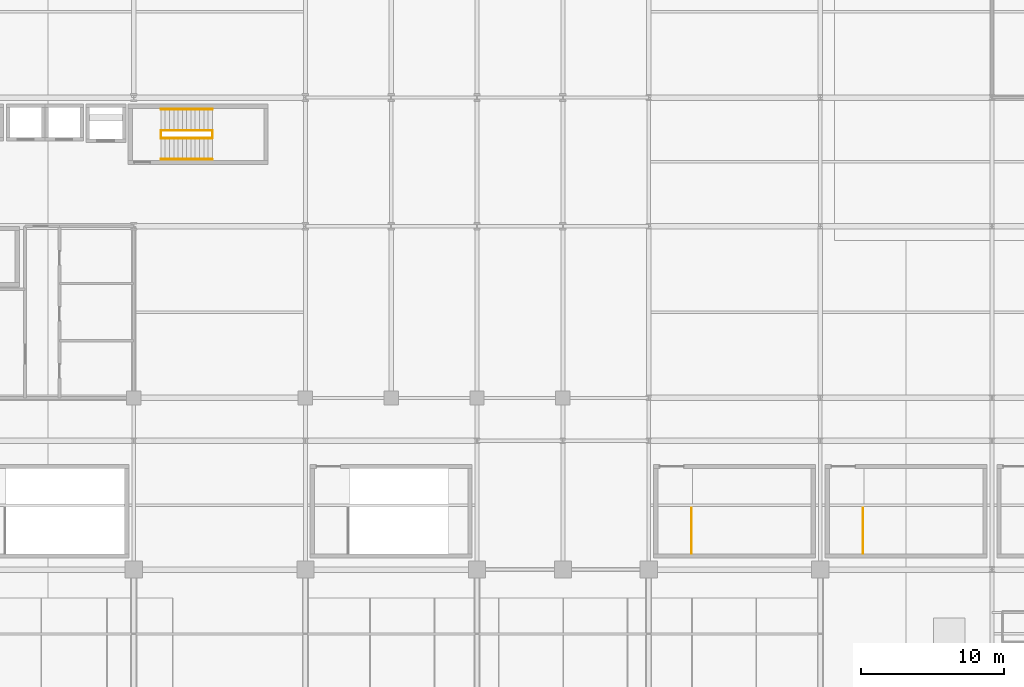
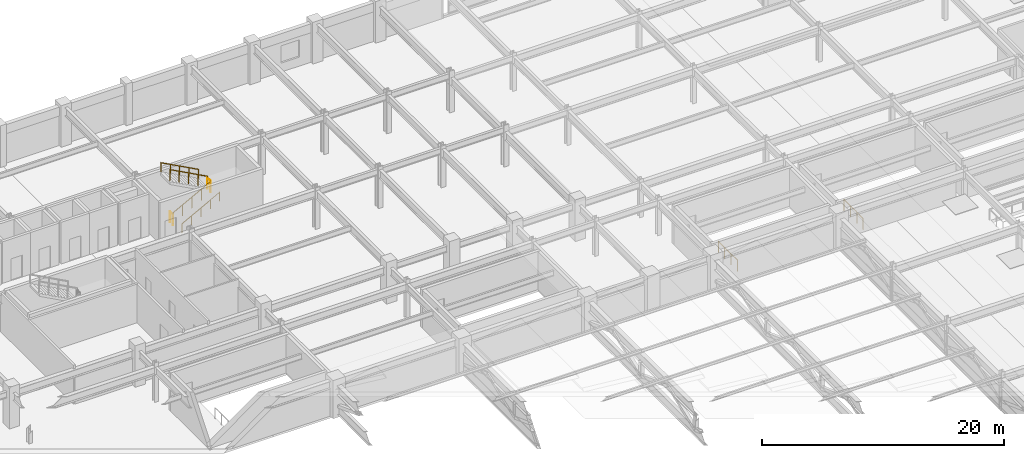
# One storey, part 107 of 108: 8 railings.
"""IFC4 building model written with IfcOpenShell, lengths in metres."""

import ifcopenshell
import ifcopenshell.guid

model = None  # the IFC model being written
_history = None  # IfcOwnerHistory: only IFC2X3 demands one
_inside = {}  # id of a spatial element -> (the spatial element, [elements in it])
_under = {}  # id of a project, library or spatial element -> (it, [spatial elements below it])
_declared = {}  # id of a project -> (the project, [libraries it declares])
_typed = {}  # id of a type object -> (the type object, [elements of that type])
_made_of = {}  # id of a material, layer set ... -> (it, [elements and type objects made of it])


def new_model(schema):
    """Start an empty IFC model of exactly this schema.

    Asked for "IFC4X3", IfcOpenShell would pick the latest addendum, in which some entities
    have other attributes; the version numbers below select the first issue.
    IFC2X3 requires an IfcOwnerHistory on every rooted entity: one is made here for all.
    """
    global model, _history
    if schema == "IFC4X3":
        model = ifcopenshell.file(schema_version=(4, 3, 0, 0))
    else:
        model = ifcopenshell.file(schema=schema)
    _inside.clear()
    _under.clear()
    _declared.clear()
    _typed.clear()
    _made_of.clear()
    _history = None
    if model.schema == "IFC2X3":
        org = make("IfcOrganization", Name="unknown")
        user = make(
            "IfcPersonAndOrganization",
            ThePerson=make("IfcPerson", FamilyName="unknown"),
            TheOrganization=org,
        )
        app = make(
            "IfcApplication",
            ApplicationDeveloper=org,
            Version="unknown",
            ApplicationFullName="unknown",
            ApplicationIdentifier="unknown",
        )
        _history = make(
            "IfcOwnerHistory",
            OwningUser=user,
            OwningApplication=app,
            ChangeAction="ADDED",
            CreationDate=0,
        )
    return model


def make(cls, **values):
    """One entity of the class cls with the attributes given. An attribute that is None is left unset."""
    return model.create_entity(
        cls, **{name: value for name, value in values.items() if value is not None}
    )


def rooted(cls, **values):
    """An entity with a GlobalId (a new one), such as an element, a storey or a relation."""
    return make(cls, GlobalId=ifcopenshell.guid.new(), OwnerHistory=_history, **values)


def si_unit(unit_type, name, prefix=None):
    """IfcSIUnit, for example si_unit("LENGTHUNIT", "METRE", prefix="MILLI")."""
    return make("IfcSIUnit", UnitType=unit_type, Prefix=prefix, Name=name)


def assignment(units):
    """IfcUnitAssignment: the units of a project."""
    return None if units is None else make("IfcUnitAssignment", Units=units)


def point(xyz):
    """IfcCartesianPoint."""
    return None if xyz is None else make("IfcCartesianPoint", Coordinates=xyz)


def direction(xyz):
    """IfcDirection."""
    return None if xyz is None else make("IfcDirection", DirectionRatios=xyz)


def frame(location, z_axis=None, x_axis=None):
    """IfcAxis2Placement3D, a coordinate frame: its origin and axes. An axis left out is left unset."""
    return make(
        "IfcAxis2Placement3D",
        Location=point(location),
        Axis=direction(z_axis),
        RefDirection=direction(x_axis),
    )


def frame_2d(location, x_axis=None):
    """IfcAxis2Placement2D, a coordinate frame in the plane: its origin and x axis."""
    return make(
        "IfcAxis2Placement2D", Location=point(location), RefDirection=direction(x_axis)
    )


def origin():
    """The frame at (0, 0, 0) with its axes left unset."""
    return frame((0.0, 0.0, 0.0))


def origin_2d():
    """The frame at (0, 0) in the plane with its x axis left unset."""
    return frame_2d((0.0, 0.0))


def place(relative_to, where):
    """IfcLocalPlacement: puts the frame where relative to a parent placement (None: the world)."""
    return make(
        "IfcLocalPlacement", PlacementRelTo=relative_to, RelativePlacement=where
    )


def context(
    kind, dimensions, precision=None, world=None, true_north=None, identifier=None
):
    """IfcGeometricRepresentationContext, for example the 3D "Model" context."""
    return make(
        "IfcGeometricRepresentationContext",
        ContextIdentifier=identifier,
        ContextType=kind,
        CoordinateSpaceDimension=dimensions,
        Precision=precision,
        WorldCoordinateSystem=world,
        TrueNorth=true_north,
    )


def subcontext(parent, identifier, kind, view, scale=None):
    """IfcGeometricRepresentationSubContext, for example "Body" below "Model"."""
    return make(
        "IfcGeometricRepresentationSubContext",
        ContextIdentifier=identifier,
        ContextType=kind,
        ParentContext=parent,
        TargetScale=scale,
        TargetView=view,
    )


def project(units=None, contexts=None):
    """IfcProject with its units and contexts."""
    return rooted(
        "IfcProject",
        Name="project",
        RepresentationContexts=contexts,
        UnitsInContext=assignment(units),
    )


def spatial(cls, under=None, at=None, **own):
    """A site, building, storey or space (cls), placed at a placement, below another one or the project."""
    s = rooted(cls, ObjectPlacement=at, **own)
    if under is not None:
        _under.setdefault(under.id(), (under, []))[1].append(s)
    return s


def profile(cls, at=None, kind="AREA", **sizes):
    """A parametric profile (cls). Its sizes go by their IFC names, for example OverallWidth=200.0."""
    return make(cls, ProfileType=kind, Position=at, **sizes)


def circle(**sizes):
    """IfcCircleProfileDef."""
    return profile("IfcCircleProfileDef", **sizes)


def extrude(swept, where, along, depth):
    """IfcExtrudedAreaSolid: the profile swept, set in the frame where, extruded along a direction by depth."""
    return make(
        "IfcExtrudedAreaSolid",
        SweptArea=swept,
        Position=where,
        ExtrudedDirection=direction(along),
        Depth=depth,
    )


def shape(context_of_items, identifier, shape_type, items):
    """IfcShapeRepresentation: the items that make up one representation, for example the "Body"."""
    return make(
        "IfcShapeRepresentation",
        ContextOfItems=context_of_items,
        RepresentationIdentifier=identifier,
        RepresentationType=shape_type,
        Items=items,
    )


def material(Name=None, Category=None):
    """IfcMaterial."""
    return make("IfcMaterial", Name=Name, Category=Category)


def made_of(thing, what):
    """Note that an element or type object is made of a material, layer set ...; save() writes the relation."""
    if what is not None:
        _made_of.setdefault(what.id(), (what, []))[1].append(thing)
    return thing


def type_object(cls, material=None, **own):
    """A type object (cls), such as IfcWallType, which elements share."""
    return made_of(rooted(cls, **own), material)


def element(
    cls,
    number,
    at=None,
    inside=None,
    cuts=None,
    type_object=None,
    material=None,
    context=None,
    identifier="Body",
    shape_type=None,
    held_by="IfcProductDefinitionShape",
    body=None,
    shapes=None,
    **own,
):
    """One element of the class cls, such as IfcWall. Its Tag is "e" and its number.

    at: its placement. inside: the storey or other place that contains it. cuts: it is an
    opening in that element (IfcRelVoidsElement). A single representation is given by context,
    identifier, shape_type and body (its items); several are given by shapes. held_by: the class
    of the entity that holds the representations. save() writes the other relations.
    """
    e = rooted(cls, Tag="e%d" % number, ObjectPlacement=at, **own)
    if body is not None:
        shapes = [shape(context, identifier, shape_type, body)]
    if shapes is not None:
        e.Representation = make(held_by, Representations=shapes)
    if inside is not None:
        _inside.setdefault(inside.id(), (inside, []))[1].append(e)
    if cuts is not None:
        rooted(
            "IfcRelVoidsElement", RelatingBuildingElement=cuts, RelatedOpeningElement=e
        )
    if type_object is not None:
        _typed.setdefault(type_object.id(), (type_object, []))[1].append(e)
    return made_of(e, material)


def aggregate(whole, parts):
    """IfcRelAggregates: a whole, such as a stair, and the parts it consists of."""
    return rooted("IfcRelAggregates", RelatingObject=whole, RelatedObjects=parts)


def save(model, path):
    """Write the relations noted so far, then the file.

    IfcRelAggregates (storeys below a building ...), IfcRelContainedInSpatialStructure (elements
    in a storey), IfcRelDefinesByType, IfcRelAssociatesMaterial and IfcRelDeclares: one each for
    every whole, place, type object, material and project.
    """
    for whole, parts in _under.values():
        aggregate(whole, parts)
    for where, things in _inside.values():
        rooted(
            "IfcRelContainedInSpatialStructure",
            RelatedElements=things,
            RelatingStructure=where,
        )
    for kind, things in _typed.values():
        rooted("IfcRelDefinesByType", RelatedObjects=things, RelatingType=kind)
    for what, things in _made_of.values():
        rooted("IfcRelAssociatesMaterial", RelatedObjects=things, RelatingMaterial=what)
    for by, libraries in _declared.values():
        rooted("IfcRelDeclares", RelatingContext=by, RelatedDefinitions=libraries)
    model.write(path)


model = new_model("IFC4")

# Units and contexts
model_context = context("Model", 3, precision=1e-05, world=origin(), true_north=direction((0.0, 1.0)))
body_context = subcontext(model_context, "Body", "Model", "MODEL_VIEW")
ifc_project = project(units=[si_unit("LENGTHUNIT", "METRE"), si_unit("AREAUNIT", "SQUARE_METRE"), si_unit("VOLUMEUNIT", "CUBIC_METRE"), si_unit("PLANEANGLEUNIT", "RADIAN"), si_unit("MASSUNIT", "GRAM", prefix="KILO")], contexts=[model_context])

# Site, building, storey
site_placement = place(None, origin())
site = spatial("IfcSite", under=ifc_project, at=site_placement, CompositionType="ELEMENT")
building_placement = place(site_placement, origin())
building = spatial("IfcBuilding", under=site, at=building_placement, Name="Kaldorvane Square Convention Centre", CompositionType="ELEMENT")
storey_placement = place(building_placement, frame((0.0, 0.0, 23.399993896484375)))
storey = spatial("IfcBuildingStorey", under=building, at=storey_placement, Name="L04", CompositionType="ELEMENT", Elevation=23.399993896484375)

# Railings
ifc_material = material(Name="Architectural Painted Steel", Category="steel")
railing_type_1 = type_object("IfcRailingType", Name="RL-GUARD-1120", PredefinedType="BALUSTRADE", material=ifc_material)
for number, where, name in (
    (1, (67.89999389648438, 102.16999816894531, 0.0), "Tower Exit Stair T2 Floor Well Guard (L04)"),
    (2, (71.5, 102.16999816894531, 2.100006103515625), "Tower Exit Stair T2 Half-Landing Guard (L04)"),
):
    element("IfcRailing", number, at=place(storey_placement, frame(where)), inside=storey, type_object=railing_type_1, Name=name, PredefinedType="BALUSTRADE", context=body_context, shape_type="SweptSolid", body=[
        extrude(circle(Radius=0.0240020751953125, at=origin_2d()), frame((0.0, 0.0, 1.0959930419921875), z_axis=(0.0, 1.0, 0.0), x_axis=(-1.0, 0.0, 0.0)), (0.0, 0.0, 1.0), 0.5200042724609375),
        extrude(circle(Radius=0.02099609375, at=origin_2d()), origin(), (0.0, 0.0, 1.0), 1.071990966796875),
        extrude(circle(Radius=0.02099609375, at=origin_2d()), frame((0.0, 0.5200042724609375, 0.0)), (0.0, 0.0, 1.0), 1.071990966796875),
    ])
railing_1_placement = place(storey_placement, frame((67.89999389648438, 102.16000366210938, 0.1615447998046875)))
element("IfcRailing", 3, at=railing_1_placement, inside=storey, type_object=railing_type_1, Name="Tower Exit Stair T2 Flight 1 Guard (L04)", PredefinedType="BALUSTRADE", context=body_context, shape_type="SweptSolid", body=[
    extrude(circle(Radius=0.0240020751953125, at=origin_2d()), frame((0.0, 0.0, 1.0959930419921875), z_axis=(0.880471459419, 0.0, 0.474099155398), x_axis=(0.0, 1.0, 0.0)), (0.0, 0.0, 1.0), 4.0887298583984375),
    extrude(circle(Radius=0.02099609375, at=origin_2d()), origin(), (0.0, 0.0, 1.0), 1.071990966796875),
    extrude(circle(Radius=0.02099609375, at=origin_2d()), frame((0.899993896484375, 0.0, 0.484619140625)), (0.0, 0.0, 1.0), 1.071990966796875),
    extrude(circle(Radius=0.02099609375, at=origin_2d()), frame((1.8000030517578125, 0.0, 0.96923828125)), (0.0, 0.0, 1.0), 1.071990966796875),
    extrude(circle(Radius=0.02099609375, at=origin_2d()), frame((2.70001220703125, 0.0, 1.4538421630859375)), (0.0, 0.0, 1.0), 1.071990966796875),
    extrude(circle(Radius=0.02099609375, at=origin_2d()), frame((3.600006103515625, 0.0, 1.9384613037109375)), (0.0, 0.0, 1.0), 1.071990966796875),
])
railing_2_placement = place(storey_placement, frame((71.5, 102.69999694824219, 2.2615509033203125)))
element("IfcRailing", 4, at=railing_2_placement, inside=storey, type_object=railing_type_1, Name="Tower Exit Stair T2 Flight 2 Guard (L04)", PredefinedType="BALUSTRADE", context=body_context, shape_type="SweptSolid", body=[
    extrude(circle(Radius=0.0240020751953125, at=origin_2d()), frame((0.0, 0.0, 1.0959930419921875), z_axis=(-0.880471459419, 0.0, 0.474099155398), x_axis=(0.0, -1.0, 0.0)), (0.0, 0.0, 1.0), 4.0887298583984375),
    extrude(circle(Radius=0.02099609375, at=origin_2d()), origin(), (0.0, 0.0, 1.0), 1.071990966796875),
    extrude(circle(Radius=0.02099609375, at=origin_2d()), frame((-0.899993896484375, 0.0, 0.484619140625)), (0.0, 0.0, 1.0), 1.071990966796875),
    extrude(circle(Radius=0.02099609375, at=origin_2d()), frame((-1.8000030517578125, 0.0, 0.96923828125)), (0.0, 0.0, 1.0), 1.071990966796875),
    extrude(circle(Radius=0.02099609375, at=origin_2d()), frame((-2.70001220703125, 0.0, 1.4538421630859375)), (0.0, 0.0, 1.0), 1.071990966796875),
    extrude(circle(Radius=0.02099609375, at=origin_2d()), frame((-3.600006103515625, 0.0, 1.9384613037109375)), (0.0, 0.0, 1.0), 1.071990966796875),
])
for number, where, name in (
    (5, (104.99000549316406, 73.13999938964844, 0.0), "Convention Exit Stair C16 Floor Well Guard (L04)"),
    (6, (116.99000549316406, 73.13999938964844, 0.0), "Convention Exit Stair C17 Floor Well Guard (L04)"),
):
    element("IfcRailing", number, at=place(storey_placement, frame(where)), inside=storey, type_object=railing_type_1, Name=name, PredefinedType="BALUSTRADE", context=body_context, shape_type="SweptSolid", body=[
        extrude(circle(Radius=0.0240020751953125, at=origin_2d()), frame((0.0, 0.0, 1.0959930419921875), z_axis=(0.0, 1.0, 0.0), x_axis=(-1.0, 0.0, 0.0)), (0.0, 0.0, 1.0), 3.160003662109375),
        extrude(circle(Radius=0.02099609375, at=origin_2d()), origin(), (0.0, 0.0, 1.0), 1.071990966796875),
        extrude(circle(Radius=0.02099609375, at=origin_2d()), frame((0.0, 1.0533294677734375, 0.0)), (0.0, 0.0, 1.0), 1.071990966796875),
        extrude(circle(Radius=0.02099609375, at=origin_2d()), frame((0.0, 2.1066741943359375, 0.0)), (0.0, 0.0, 1.0), 1.071990966796875),
        extrude(circle(Radius=0.02099609375, at=origin_2d()), frame((0.0, 3.160003662109375, 0.0)), (0.0, 0.0, 1.0), 1.071990966796875),
    ])
railing_type_2 = type_object("IfcRailingType", Name="RL-HAND-915", PredefinedType="HANDRAIL", material=ifc_material)
railing_3_placement = place(storey_placement, frame((67.89999389648438, 100.67999267578125, 0.1615447998046875)))
element("IfcRailing", 7, at=railing_3_placement, inside=storey, type_object=railing_type_2, Name="Tower Exit Stair T2 Wall Handrail 1 (L04)", PredefinedType="HANDRAIL", context=body_context, shape_type="SweptSolid", body=[
    extrude(circle(Radius=0.0240020751953125, at=origin_2d()), frame((0.0, 0.0, 0.8909912109375), z_axis=(0.880471459419, 0.0, 0.474099155398), x_axis=(0.0, 1.0, 0.0)), (0.0, 0.0, 1.0), 4.0887298583984375),
    extrude(circle(Radius=0.02099609375, at=origin_2d()), origin(), (0.0, 0.0, 1.0), 0.8669891357421875),
    extrude(circle(Radius=0.02099609375, at=origin_2d()), frame((0.899993896484375, 0.0, 0.484619140625)), (0.0, 0.0, 1.0), 0.8669891357421875),
    extrude(circle(Radius=0.02099609375, at=origin_2d()), frame((1.8000030517578125, 0.0, 0.96923828125)), (0.0, 0.0, 1.0), 0.8669891357421875),
    extrude(circle(Radius=0.02099609375, at=origin_2d()), frame((2.70001220703125, 0.0, 1.4538421630859375)), (0.0, 0.0, 1.0), 0.8669891357421875),
    extrude(circle(Radius=0.02099609375, at=origin_2d()), frame((3.600006103515625, 0.0, 1.9384613037109375)), (0.0, 0.0, 1.0), 0.8669891357421875),
])
railing_4_placement = place(storey_placement, frame((71.5, 104.17999267578125, 2.2615509033203125)))
element("IfcRailing", 8, at=railing_4_placement, inside=storey, type_object=railing_type_2, Name="Tower Exit Stair T2 Wall Handrail 2 (L04)", PredefinedType="HANDRAIL", context=body_context, shape_type="SweptSolid", body=[
    extrude(circle(Radius=0.0240020751953125, at=origin_2d()), frame((0.0, 0.0, 0.8909912109375), z_axis=(-0.880471459419, 0.0, 0.474099155398), x_axis=(0.0, -1.0, 0.0)), (0.0, 0.0, 1.0), 4.0887298583984375),
    extrude(circle(Radius=0.02099609375, at=origin_2d()), origin(), (0.0, 0.0, 1.0), 0.8669891357421875),
    extrude(circle(Radius=0.02099609375, at=origin_2d()), frame((-0.899993896484375, 0.0, 0.484619140625)), (0.0, 0.0, 1.0), 0.8669891357421875),
    extrude(circle(Radius=0.02099609375, at=origin_2d()), frame((-1.8000030517578125, 0.0, 0.96923828125)), (0.0, 0.0, 1.0), 0.8669891357421875),
    extrude(circle(Radius=0.02099609375, at=origin_2d()), frame((-2.70001220703125, 0.0, 1.4538421630859375)), (0.0, 0.0, 1.0), 0.8669891357421875),
    extrude(circle(Radius=0.02099609375, at=origin_2d()), frame((-3.600006103515625, 0.0, 1.9384613037109375)), (0.0, 0.0, 1.0), 0.8669891357421875),
])

save(model, "model.ifc")
